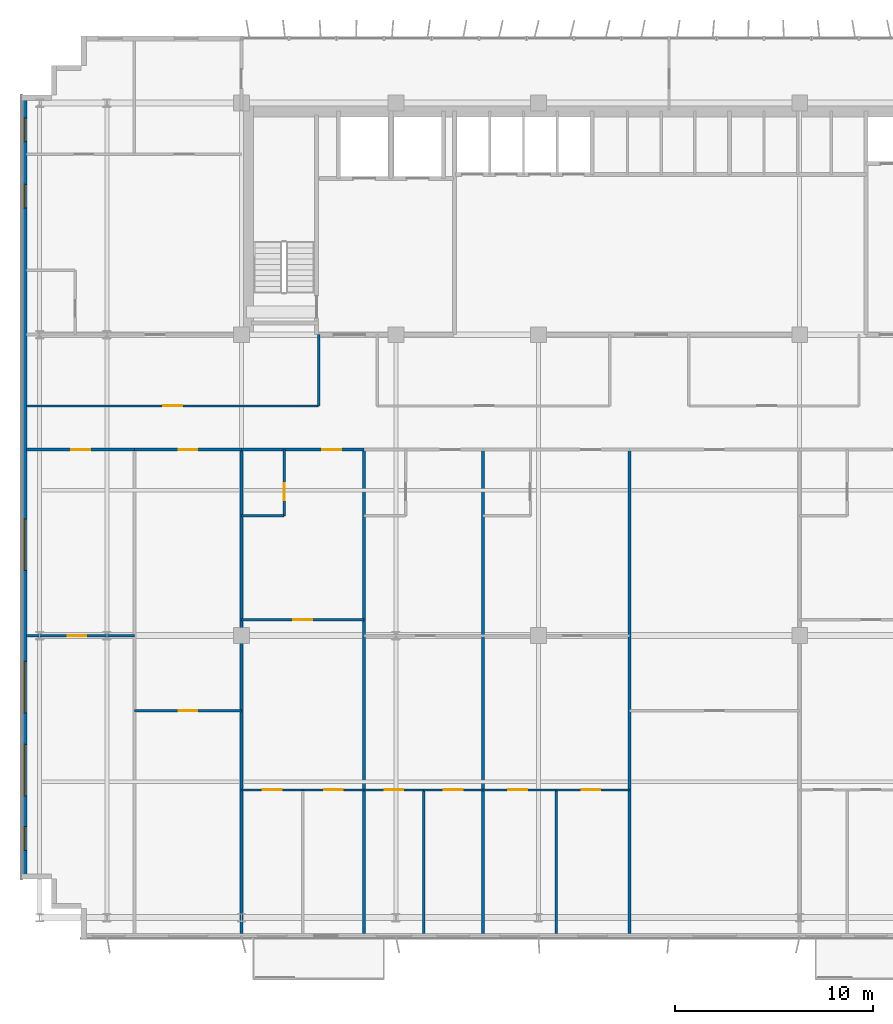
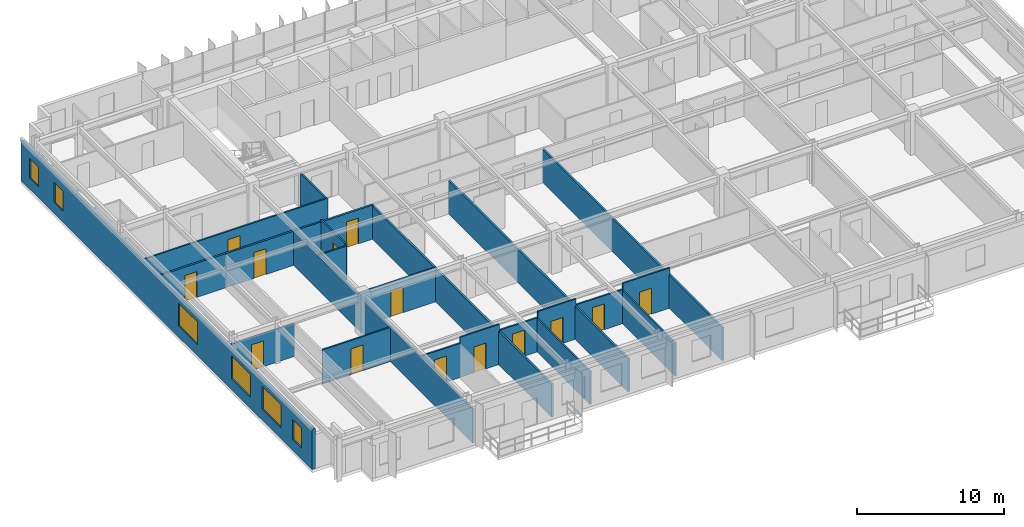
# One storey, part 14 of 22: 23 walls, 14 doors, 6 windows, 20 openings.
"""IFC4 building model written with IfcOpenShell, lengths in metres."""

from ifc_helpers import new_model, si_unit, direction, frame, frame_2d, origin, place, context, subcontext, project, spatial, rectangle, extrude, source, transform, mapped, material, layer, layer_set, type_object, element, fill, save


model = new_model("IFC4")

# Units and contexts
model_context = context("Model", 3, precision=1e-05, world=origin(), true_north=direction((0.0, 1.0)))
body_context = subcontext(model_context, "Body", "Model", "MODEL_VIEW")
ifc_project = project(units=[si_unit("LENGTHUNIT", "METRE"), si_unit("AREAUNIT", "SQUARE_METRE"), si_unit("VOLUMEUNIT", "CUBIC_METRE"), si_unit("PLANEANGLEUNIT", "RADIAN"), si_unit("MASSUNIT", "GRAM", prefix="KILO")], contexts=[model_context])

# Site, building, storey
site_placement = place(None, origin())
site = spatial("IfcSite", under=ifc_project, at=site_placement, CompositionType="ELEMENT")
building_placement = place(site_placement, origin())
building = spatial("IfcBuilding", under=site, at=building_placement, Name="Trelvane Seafront Commons", CompositionType="ELEMENT")
storey_placement = place(building_placement, frame((0.0, 0.0, 117.699951171875)))
storey = spatial("IfcBuildingStorey", under=building, at=storey_placement, Name="L30", CompositionType="ELEMENT", Elevation=117.699951171875)

# Wall, openings, windows
ifc_material_1 = material(Name="Precast concrete C40/50", Category="concrete")
ifc_layer_1 = layer(ifc_material_1, 0.260009765625, Name="ARCH-WALL-EXT260")
ifc_layer_set_1 = layer_set([ifc_layer_1], Name="Precast concrete C40/50")
wall_type_1 = type_object("IfcWallType", Name="ARCH-WALL-EXT260", PredefinedType="SOLIDWALL", material=ifc_layer_set_1)
wall_1_placement = place(storey_placement, frame((4.6298828125, 5.89990234375, 0.0), z_axis=(0.0, 0.0, 1.0), x_axis=(0.0, 1.0, 0.0)))
wall_1 = element("IfcWall", 1, at=wall_1_placement, inside=storey, type_object=wall_type_1, Name="EW-L30-00564", PredefinedType="SOLIDWALL", context=body_context, shape_type="SweptSolid", body=[
    extrude(rectangle(XDim=39.60009765625, YDim=0.260009765625, at=frame_2d((19.800048828125, 0.0))), origin(), (0.0, 0.0, 1.0), 3.340087890625),
])
opening_1_placement = place(wall_1_placement, frame((1.449951171875, 0.0, 0.919921875)))
opening_1 = element("IfcOpeningElement", 2, at=opening_1_placement, cuts=wall_1, Name="Opening W05", PredefinedType="OPENING", context=body_context, shape_type="SweptSolid", body=[
    extrude(rectangle(XDim=1.199951171875, YDim=1.64990234375, at=frame_2d((0.60009765625, 0.824951171875))), frame((0.0, 0.139892578125, 0.0), z_axis=(0.0, -1.0, 0.0), x_axis=(1.0, 0.0, 0.0)), (0.0, 0.0, 1.0), 0.280029296875),
])
opening_2_placement = place(wall_1_placement, frame((4.199951171875, 0.0, 0.919921875)))
opening_2 = element("IfcOpeningElement", 3, at=opening_2_placement, cuts=wall_1, Name="Opening W04", PredefinedType="OPENING", context=body_context, shape_type="SweptSolid", body=[
    extrude(rectangle(XDim=2.60009765625, YDim=1.89990234375, at=frame_2d((1.300048828125, 0.949951171875))), frame((0.0, 0.139892578125, 0.0), z_axis=(0.0, -1.0, 0.0), x_axis=(1.0, 0.0, 0.0)), (0.0, 0.0, 1.0), 0.280029296875),
])
opening_3_placement = place(wall_1_placement, frame((8.39990234375, 0.0, 0.919921875)))
opening_3 = element("IfcOpeningElement", 4, at=opening_3_placement, cuts=wall_1, Name="Opening W04", PredefinedType="OPENING", context=body_context, shape_type="SweptSolid", body=[
    extrude(rectangle(XDim=2.60009765625, YDim=1.89990234375, at=frame_2d((1.300048828125, 0.949951171875))), frame((0.0, 0.139892578125, 0.0), z_axis=(0.0, -1.0, 0.0), x_axis=(1.0, 0.0, 0.0)), (0.0, 0.0, 1.0), 0.280029296875),
])
opening_4_placement = place(wall_1_placement, frame((15.60009765625, 0.0, 0.919921875)))
opening_4 = element("IfcOpeningElement", 5, at=opening_4_placement, cuts=wall_1, Name="Opening W04", PredefinedType="OPENING", context=body_context, shape_type="SweptSolid", body=[
    extrude(rectangle(XDim=2.60009765625, YDim=1.89990234375, at=frame_2d((1.300048828125, 0.949951171875))), frame((0.0, 0.139892578125, 0.0), z_axis=(0.0, -1.0, 0.0), x_axis=(1.0, 0.0, 0.0)), (0.0, 0.0, 1.0), 0.280029296875),
])
opening_5_placement = place(wall_1_placement, frame((33.89990234375, 0.0, 0.919921875)))
opening_5 = element("IfcOpeningElement", 6, at=opening_5_placement, cuts=wall_1, Name="Opening W05", PredefinedType="OPENING", context=body_context, shape_type="SweptSolid", body=[
    extrude(rectangle(XDim=1.199951171875, YDim=1.64990234375, at=frame_2d((0.60009765625, 0.824951171875))), frame((0.0, 0.139892578125, 0.0), z_axis=(0.0, -1.0, 0.0), x_axis=(1.0, 0.0, 0.0)), (0.0, 0.0, 1.0), 0.280029296875),
])
opening_6_placement = place(wall_1_placement, frame((37.25, 0.0, 0.919921875)))
opening_6 = element("IfcOpeningElement", 7, at=opening_6_placement, cuts=wall_1, Name="Opening W05", PredefinedType="OPENING", context=body_context, shape_type="SweptSolid", body=[
    extrude(rectangle(XDim=1.199951171875, YDim=1.64990234375, at=frame_2d((0.60009765625, 0.824951171875))), frame((0.0, 0.139892578125, 0.0), z_axis=(0.0, -1.0, 0.0), x_axis=(1.0, 0.0, 0.0)), (0.0, 0.0, 1.0), 0.280029296875),
])
ifc_material_2 = material(Name="Low-E coastal double glazing", Category="glass")
window_type_1 = type_object("IfcWindowType", Name="ARCH-WIN-W04", PartitioningType="SINGLE_PANEL", PredefinedType="WINDOW", material=ifc_material_2)
shared_shape_1 = source(origin(), body_context, "Body", "SweptSolid", [
    extrude(rectangle(XDim=2.60009765625, YDim=1.89990234375, at=frame_2d((1.300048828125, 0.949951171875))), frame((0.0, 0.030029296875, 0.0), z_axis=(0.0, -1.0, 0.0), x_axis=(1.0, 0.0, 0.0)), (0.0, 0.0, 1.0), 0.06005859375),
])
window_1_placement = place(opening_2_placement, origin())
window_1 = element("IfcWindow", 8, at=window_1_placement, inside=storey, type_object=window_type_1, Name="WIN-L30-EW-00670", OverallHeight=1.89990234375, OverallWidth=2.60009765625, PartitioningType="SINGLE_PANEL", PredefinedType="WINDOW", context=body_context, shape_type="MappedRepresentation", body=[
    mapped(shared_shape_1, transform((0.0, 0.0, 0.0), x_axis=(1.0, 0.0, 0.0), y_axis=(0.0, 1.0, 0.0), z_axis=(0.0, 0.0, 1.0), scale=1.0)),
])
fill(opening_2, window_1)
window_2_placement = place(opening_3_placement, origin())
window_2 = element("IfcWindow", 9, at=window_2_placement, inside=storey, type_object=window_type_1, Name="WIN-L30-EW-00671", OverallHeight=1.89990234375, OverallWidth=2.60009765625, PartitioningType="SINGLE_PANEL", PredefinedType="WINDOW", context=body_context, shape_type="MappedRepresentation", body=[
    mapped(shared_shape_1, transform((0.0, 0.0, 0.0), x_axis=(1.0, 0.0, 0.0), y_axis=(0.0, 1.0, 0.0), z_axis=(0.0, 0.0, 1.0), scale=1.0)),
])
fill(opening_3, window_2)
window_3_placement = place(opening_4_placement, origin())
window_3 = element("IfcWindow", 10, at=window_3_placement, inside=storey, type_object=window_type_1, Name="WIN-L30-EW-00672", OverallHeight=1.89990234375, OverallWidth=2.60009765625, PartitioningType="SINGLE_PANEL", PredefinedType="WINDOW", context=body_context, shape_type="MappedRepresentation", body=[
    mapped(shared_shape_1, transform((0.0, 0.0, 0.0), x_axis=(1.0, 0.0, 0.0), y_axis=(0.0, 1.0, 0.0), z_axis=(0.0, 0.0, 1.0), scale=1.0)),
])
fill(opening_4, window_3)
window_type_2 = type_object("IfcWindowType", Name="ARCH-WIN-W05", PartitioningType="SINGLE_PANEL", PredefinedType="WINDOW", material=ifc_material_2)
shared_shape_2 = source(origin(), body_context, "Body", "SweptSolid", [
    extrude(rectangle(XDim=1.199951171875, YDim=1.64990234375, at=frame_2d((0.60009765625, 0.824951171875))), frame((0.0, 0.030029296875, 0.0), z_axis=(0.0, -1.0, 0.0), x_axis=(1.0, 0.0, 0.0)), (0.0, 0.0, 1.0), 0.06005859375),
])
window_4_placement = place(opening_1_placement, origin())
window_4 = element("IfcWindow", 11, at=window_4_placement, inside=storey, type_object=window_type_2, Name="WIN-L30-EW-00669", OverallHeight=1.64990234375, OverallWidth=1.199951171875, PartitioningType="SINGLE_PANEL", PredefinedType="WINDOW", context=body_context, shape_type="MappedRepresentation", body=[
    mapped(shared_shape_2, transform((0.0, 0.0, 0.0), x_axis=(1.0, 0.0, 0.0), y_axis=(0.0, 1.0, 0.0), z_axis=(0.0, 0.0, 1.0), scale=1.0)),
])
fill(opening_1, window_4)
window_5_placement = place(opening_5_placement, origin())
window_5 = element("IfcWindow", 12, at=window_5_placement, inside=storey, type_object=window_type_2, Name="WIN-L30-EW-00673", OverallHeight=1.64990234375, OverallWidth=1.199951171875, PartitioningType="SINGLE_PANEL", PredefinedType="WINDOW", context=body_context, shape_type="MappedRepresentation", body=[
    mapped(shared_shape_2, transform((0.0, 0.0, 0.0), x_axis=(1.0, 0.0, 0.0), y_axis=(0.0, 1.0, 0.0), z_axis=(0.0, 0.0, 1.0), scale=1.0)),
])
fill(opening_5, window_5)
window_6_placement = place(opening_6_placement, origin())
window_6 = element("IfcWindow", 13, at=window_6_placement, inside=storey, type_object=window_type_2, Name="WIN-L30-EW-00674", OverallHeight=1.64990234375, OverallWidth=1.199951171875, PartitioningType="SINGLE_PANEL", PredefinedType="WINDOW", context=body_context, shape_type="MappedRepresentation", body=[
    mapped(shared_shape_2, transform((0.0, 0.0, 0.0), x_axis=(1.0, 0.0, 0.0), y_axis=(0.0, 1.0, 0.0), z_axis=(0.0, 0.0, 1.0), scale=1.0)),
])
fill(opening_6, window_6)

# Wall, opening, door
ifc_material_3 = material(Name="Gypsum Drywall Acoustic Partition")
ifc_layer_2 = layer(ifc_material_3, 0.1201171875, Name="ARCH-WALL-PART120")
ifc_layer_set_2 = layer_set([ifc_layer_2], Name="Gypsum Drywall Acoustic Partition")
wall_type_2 = type_object("IfcWallType", Name="ARCH-WALL-PART120", PredefinedType="PARTITIONING", material=ifc_layer_set_2)
wall_2_placement = place(storey_placement, frame((4.75, 29.800048828125, 0.0), z_axis=(0.0, 0.0, 1.0), x_axis=(1.0, 0.0, 0.0)))
wall_2 = element("IfcWall", 14, at=wall_2_placement, inside=storey, type_object=wall_type_2, Name="W-L30-CORR-N-W-038", PredefinedType="PARTITIONING", context=body_context, shape_type="SweptSolid", body=[
    extrude(rectangle(XDim=14.75, YDim=0.1201171875, at=frame_2d((7.375, 0.0))), origin(), (0.0, 0.0, 1.0), 2.840087890625),
])
opening_7_placement = place(wall_2_placement, frame((6.89990234375, 0.0, 0.0)))
opening_7 = element("IfcOpeningElement", 15, at=opening_7_placement, cuts=wall_2, Name="Opening D-L30-17", PredefinedType="OPENING", context=body_context, shape_type="SweptSolid", body=[
    extrude(rectangle(XDim=0.949951171875, YDim=2.14990234375, at=frame_2d((0.47509765625, 1.074951171875))), frame((0.0, 0.070068359375, 0.0), z_axis=(0.0, -1.0, 0.0), x_axis=(1.0, 0.0, 0.0)), (0.0, 0.0, 1.0), 0.14013671875),
])
ifc_material_4 = material(Name="Acoustic timber door leaf", Category="wood")
door_type_1 = type_object("IfcDoorType", Name="ARCH-DR-INT950", OperationType="NOTDEFINED", PredefinedType="DOOR", material=ifc_material_4)
shared_shape_3 = source(origin(), body_context, "Body", "SweptSolid", [
    extrude(rectangle(XDim=0.949951171875, YDim=2.14990234375, at=frame_2d((0.47509765625, 1.074951171875))), frame((0.0, 0.02490234375, 0.0), z_axis=(0.0, -1.0, 0.0), x_axis=(1.0, 0.0, 0.0)), (0.0, 0.0, 1.0), 0.050048828125),
])
door_1_placement = place(opening_7_placement, origin())
door_1 = element("IfcDoor", 16, at=door_1_placement, inside=storey, type_object=door_type_1, Name="L30 Door 17", OperationType="SINGLE_SWING_LEFT", OverallHeight=2.14990234375, OverallWidth=0.949951171875, PredefinedType="DOOR", context=body_context, shape_type="MappedRepresentation", body=[
    mapped(shared_shape_3, transform((0.0, 0.0, 0.0), x_axis=(1.0, 0.0, 0.0), y_axis=(0.0, 1.0, 0.0), z_axis=(0.0, 0.0, 1.0), scale=1.0)),
])
fill(opening_7, door_1)

# Wall
wall_3_placement = place(storey_placement, frame((19.5, 29.800048828125, 0.0), z_axis=(0.0, 0.0, 1.0), x_axis=(0.0, 1.0, 0.0)))
element("IfcWall", 17, at=wall_3_placement, inside=storey, type_object=wall_type_2, Name="W-L30-N-SPUR-W1-043", PredefinedType="PARTITIONING", context=body_context, shape_type="SweptSolid", body=[
    extrude(rectangle(XDim=3.599853515625, YDim=0.1201171875, at=frame_2d((1.7998046875, 0.0))), origin(), (0.0, 0.0, 1.0), 2.751953125),
])

# Wall, opening, door
wall_4_placement = place(storey_placement, frame((4.7451171875, 18.199951171875, 0.0), z_axis=(0.0, 0.0, 1.0), x_axis=(1.0, 0.0, 0.0)))
wall_4 = element("IfcWall", 18, at=wall_4_placement, inside=storey, type_object=wall_type_2, Name="W-L30-U1-DIV-074", PredefinedType="PARTITIONING", context=body_context, shape_type="SweptSolid", body=[
    extrude(rectangle(XDim=5.454833984375, YDim=0.1201171875, at=frame_2d((2.7275390625, 0.0))), origin(), (0.0, 0.0, 1.0), 2.751953125),
])
opening_8_placement = place(wall_4_placement, frame((2.06494140625, 0.0, 0.0)))
opening_8 = element("IfcOpeningElement", 19, at=opening_8_placement, cuts=wall_4, Name="Opening D-L30-34", PredefinedType="OPENING", context=body_context, shape_type="SweptSolid", body=[
    extrude(rectangle(XDim=0.949951171875, YDim=2.14990234375, at=frame_2d((0.47509765625, 1.074951171875))), frame((0.0, 0.070068359375, 0.0), z_axis=(0.0, -1.0, 0.0), x_axis=(1.0, 0.0, 0.0)), (0.0, 0.0, 1.0), 0.14013671875),
])
door_2_placement = place(opening_8_placement, origin())
door_2 = element("IfcDoor", 20, at=door_2_placement, inside=storey, type_object=door_type_1, Name="L30 Door 34", OperationType="SINGLE_SWING_RIGHT", OverallHeight=2.14990234375, OverallWidth=0.949951171875, PredefinedType="DOOR", context=body_context, shape_type="MappedRepresentation", body=[
    mapped(shared_shape_3, transform((0.0, 0.0, 0.0), x_axis=(1.0, 0.0, 0.0), y_axis=(0.0, 1.0, 0.0), z_axis=(0.0, 0.0, 1.0), scale=1.0)),
])
fill(opening_8, door_2)

wall_5_placement = place(storey_placement, frame((10.199951171875, 14.39990234375, 0.0), z_axis=(0.0, 0.0, 1.0), x_axis=(1.0, 0.0, 0.0)))
wall_5 = element("IfcWall", 21, at=wall_5_placement, inside=storey, type_object=wall_type_2, Name="W-L30-U2-DIV-076", PredefinedType="PARTITIONING", context=body_context, shape_type="SweptSolid", body=[
    extrude(rectangle(XDim=5.400146484375, YDim=0.1201171875, at=frame_2d((2.7001953125, 0.0))), origin(), (0.0, 0.0, 1.0), 2.840087890625),
])
opening_9_placement = place(wall_5_placement, frame((2.22509765625, 0.0, 0.0)))
opening_9 = element("IfcOpeningElement", 22, at=opening_9_placement, cuts=wall_5, Name="Opening D-L30-36", PredefinedType="OPENING", context=body_context, shape_type="SweptSolid", body=[
    extrude(rectangle(XDim=0.949951171875, YDim=2.14990234375, at=frame_2d((0.47509765625, 1.074951171875))), frame((0.0, 0.070068359375, 0.0), z_axis=(0.0, -1.0, 0.0), x_axis=(1.0, 0.0, 0.0)), (0.0, 0.0, 1.0), 0.14013671875),
])
door_3_placement = place(opening_9_placement, origin())
door_3 = element("IfcDoor", 23, at=door_3_placement, inside=storey, type_object=door_type_1, Name="L30 Door 36", OperationType="SINGLE_SWING_RIGHT", OverallHeight=2.14990234375, OverallWidth=0.949951171875, PredefinedType="DOOR", context=body_context, shape_type="MappedRepresentation", body=[
    mapped(shared_shape_3, transform((0.0, 0.0, 0.0), x_axis=(1.0, 0.0, 0.0), y_axis=(0.0, 1.0, 0.0), z_axis=(0.0, 0.0, 1.0), scale=1.0)),
])
fill(opening_9, door_3)

wall_6_placement = place(storey_placement, frame((15.60009765625, 19.0, 0.0), z_axis=(0.0, 0.0, 1.0), x_axis=(1.0, 0.0, 0.0)))
wall_6 = element("IfcWall", 24, at=wall_6_placement, inside=storey, type_object=wall_type_2, Name="W-L30-U3-KL-077", PredefinedType="PARTITIONING", context=body_context, shape_type="SweptSolid", body=[
    extrude(rectangle(XDim=6.199951171875, YDim=0.1201171875, at=frame_2d((3.10009765625, 0.0))), origin(), (0.0, 0.0, 1.0), 2.840087890625),
])
opening_10_placement = place(wall_6_placement, frame((2.625, 0.0, 0.0)))
opening_10 = element("IfcOpeningElement", 25, at=opening_10_placement, cuts=wall_6, Name="Opening D-L30-37", PredefinedType="OPENING", context=body_context, shape_type="SweptSolid", body=[
    extrude(rectangle(XDim=0.949951171875, YDim=2.14990234375, at=frame_2d((0.47509765625, 1.074951171875))), frame((0.0, 0.070068359375, 0.0), z_axis=(0.0, -1.0, 0.0), x_axis=(1.0, 0.0, 0.0)), (0.0, 0.0, 1.0), 0.14013671875),
])
door_4_placement = place(opening_10_placement, origin())
door_4 = element("IfcDoor", 26, at=door_4_placement, inside=storey, type_object=door_type_1, Name="L30 Door 37", OperationType="SINGLE_SWING_LEFT", OverallHeight=2.14990234375, OverallWidth=0.949951171875, PredefinedType="DOOR", context=body_context, shape_type="MappedRepresentation", body=[
    mapped(shared_shape_3, transform((0.0, 0.0, 0.0), x_axis=(1.0, 0.0, 0.0), y_axis=(0.0, 1.0, 0.0), z_axis=(0.0, 0.0, 1.0), scale=1.0)),
])
fill(opening_10, door_4)

wall_7_placement = place(storey_placement, frame((17.758056640625, 24.25, 0.0), z_axis=(0.0, 0.0, 1.0), x_axis=(0.0, 1.0, 0.0)))
wall_7 = element("IfcWall", 27, at=wall_7_placement, inside=storey, type_object=wall_type_2, Name="W-L30-U3-BE-078", PredefinedType="PARTITIONING", context=body_context, shape_type="SweptSolid", body=[
    extrude(rectangle(XDim=3.35009765625, YDim=0.1201171875, at=frame_2d((1.675048828125, 0.0))), origin(), (0.0, 0.0, 1.0), 2.989990234375),
])
opening_11_placement = place(wall_7_placement, frame((0.800048828125, 0.0, 0.0)))
opening_11 = element("IfcOpeningElement", 28, at=opening_11_placement, cuts=wall_7, Name="Opening D-L30-38", PredefinedType="OPENING", context=body_context, shape_type="SweptSolid", body=[
    extrude(rectangle(XDim=0.85009765625, YDim=2.10009765625, at=frame_2d((0.425048828125, 1.050048828125))), frame((0.0, 0.070068359375, 0.0), z_axis=(0.0, -1.0, 0.0), x_axis=(1.0, 0.0, 0.0)), (0.0, 0.0, 1.0), 0.14013671875),
])
door_type_2 = type_object("IfcDoorType", Name="ARCH-DR-INT850", OperationType="NOTDEFINED", PredefinedType="DOOR", material=ifc_material_4)
shared_shape_4 = source(origin(), body_context, "Body", "SweptSolid", [
    extrude(rectangle(XDim=0.85009765625, YDim=2.10009765625, at=frame_2d((0.425048828125, 1.050048828125))), frame((0.0, 0.02490234375, 0.0), z_axis=(0.0, -1.0, 0.0), x_axis=(1.0, 0.0, 0.0)), (0.0, 0.0, 1.0), 0.050048828125),
])
door_5_placement = place(opening_11_placement, origin())
door_5 = element("IfcDoor", 29, at=door_5_placement, inside=storey, type_object=door_type_2, Name="L30 Door 38", OperationType="SINGLE_SWING_RIGHT", OverallHeight=2.10009765625, OverallWidth=0.85009765625, PredefinedType="DOOR", context=body_context, shape_type="MappedRepresentation", body=[
    mapped(shared_shape_4, transform((0.0, 0.0, 0.0), x_axis=(1.0, 0.0, 0.0), y_axis=(0.0, 1.0, 0.0), z_axis=(0.0, 0.0, 1.0), scale=1.0)),
])
fill(opening_11, door_5)

# Wall
wall_8_placement = place(storey_placement, frame((15.60009765625, 24.25, 0.0), z_axis=(0.0, 0.0, 1.0), x_axis=(1.0, 0.0, 0.0)))
element("IfcWall", 30, at=wall_8_placement, inside=storey, type_object=wall_type_2, Name="W-L30-U3-BS-079", PredefinedType="PARTITIONING", context=body_context, shape_type="SweptSolid", body=[
    extrude(rectangle(XDim=2.157958984375, YDim=0.1201171875, at=frame_2d((1.0791015625, 0.0))), origin(), (0.0, 0.0, 1.0), 2.840087890625),
])

# Wall, opening, door
wall_9_placement = place(storey_placement, frame((15.60009765625, 10.39990234375, 0.0), z_axis=(0.0, 0.0, 1.0), x_axis=(1.0, 0.0, 0.0)))
wall_9 = element("IfcWall", 31, at=wall_9_placement, inside=storey, type_object=wall_type_2, Name="W-L30-U3-YM-1-081", PredefinedType="PARTITIONING", context=body_context, shape_type="SweptSolid", body=[
    extrude(rectangle(XDim=3.099853515625, YDim=0.1201171875, at=frame_2d((1.5498046875, 0.0))), origin(), (0.0, 0.0, 1.0), 2.840087890625),
])
opening_12_placement = place(wall_9_placement, frame((1.074951171875, 0.0, 0.0)))
opening_12 = element("IfcOpeningElement", 32, at=opening_12_placement, cuts=wall_9, Name="Opening D-L30-40", PredefinedType="OPENING", context=body_context, shape_type="SweptSolid", body=[
    extrude(rectangle(XDim=0.949951171875, YDim=2.14990234375, at=frame_2d((0.47509765625, 1.074951171875))), frame((0.0, 0.070068359375, 0.0), z_axis=(0.0, -1.0, 0.0), x_axis=(1.0, 0.0, 0.0)), (0.0, 0.0, 1.0), 0.14013671875),
])
door_6_placement = place(opening_12_placement, origin())
door_6 = element("IfcDoor", 33, at=door_6_placement, inside=storey, type_object=door_type_1, Name="L30 Door 40", OperationType="SINGLE_SWING_RIGHT", OverallHeight=2.14990234375, OverallWidth=0.949951171875, PredefinedType="DOOR", context=body_context, shape_type="MappedRepresentation", body=[
    mapped(shared_shape_3, transform((0.0, 0.0, 0.0), x_axis=(1.0, 0.0, 0.0), y_axis=(0.0, 1.0, 0.0), z_axis=(0.0, 0.0, 1.0), scale=1.0)),
])
fill(opening_12, door_6)

wall_10_placement = place(storey_placement, frame((18.699951171875, 10.39990234375, 0.0), z_axis=(0.0, 0.0, 1.0), x_axis=(1.0, 0.0, 0.0)))
wall_10 = element("IfcWall", 34, at=wall_10_placement, inside=storey, type_object=wall_type_2, Name="W-L30-U3-YM-2-082", PredefinedType="PARTITIONING", context=body_context, shape_type="SweptSolid", body=[
    extrude(rectangle(XDim=3.10009765625, YDim=0.1201171875, at=frame_2d((1.550048828125, 0.0))), origin(), (0.0, 0.0, 1.0), 3.340087890625),
])
opening_13_placement = place(wall_10_placement, frame((1.074951171875, 0.0, 0.0)))
opening_13 = element("IfcOpeningElement", 35, at=opening_13_placement, cuts=wall_10, Name="Opening D-L30-41", PredefinedType="OPENING", context=body_context, shape_type="SweptSolid", body=[
    extrude(rectangle(XDim=0.949951171875, YDim=2.14990234375, at=frame_2d((0.47509765625, 1.074951171875))), frame((0.0, 0.070068359375, 0.0), z_axis=(0.0, -1.0, 0.0), x_axis=(1.0, 0.0, 0.0)), (0.0, 0.0, 1.0), 0.14013671875),
])
door_7_placement = place(opening_13_placement, origin())
door_7 = element("IfcDoor", 36, at=door_7_placement, inside=storey, type_object=door_type_1, Name="L30 Door 41", OperationType="SINGLE_SWING_LEFT", OverallHeight=2.14990234375, OverallWidth=0.949951171875, PredefinedType="DOOR", context=body_context, shape_type="MappedRepresentation", body=[
    mapped(shared_shape_3, transform((0.0, 0.0, 0.0), x_axis=(1.0, 0.0, 0.0), y_axis=(0.0, 1.0, 0.0), z_axis=(0.0, 0.0, 1.0), scale=1.0)),
])
fill(opening_13, door_7)

wall_11_placement = place(storey_placement, frame((21.800048828125, 10.39990234375, 0.0), z_axis=(0.0, 0.0, 1.0), x_axis=(1.0, 0.0, 0.0)))
wall_11 = element("IfcWall", 37, at=wall_11_placement, inside=storey, type_object=wall_type_2, Name="W-L30-U4-YM-1-088", PredefinedType="PARTITIONING", context=body_context, shape_type="SweptSolid", body=[
    extrude(rectangle(XDim=3.0, YDim=0.1201171875, at=frame_2d((1.5, 0.0))), origin(), (0.0, 0.0, 1.0), 2.840087890625),
])
opening_14_placement = place(wall_11_placement, frame((1.02490234375, 0.0, 0.0)))
opening_14 = element("IfcOpeningElement", 38, at=opening_14_placement, cuts=wall_11, Name="Opening D-L30-45", PredefinedType="OPENING", context=body_context, shape_type="SweptSolid", body=[
    extrude(rectangle(XDim=0.949951171875, YDim=2.14990234375, at=frame_2d((0.47509765625, 1.074951171875))), frame((0.0, 0.070068359375, 0.0), z_axis=(0.0, -1.0, 0.0), x_axis=(1.0, 0.0, 0.0)), (0.0, 0.0, 1.0), 0.14013671875),
])
door_8_placement = place(opening_14_placement, origin())
door_8 = element("IfcDoor", 39, at=door_8_placement, inside=storey, type_object=door_type_1, Name="L30 Door 45", OperationType="SINGLE_SWING_LEFT", OverallHeight=2.14990234375, OverallWidth=0.949951171875, PredefinedType="DOOR", context=body_context, shape_type="MappedRepresentation", body=[
    mapped(shared_shape_3, transform((0.0, 0.0, 0.0), x_axis=(1.0, 0.0, 0.0), y_axis=(0.0, 1.0, 0.0), z_axis=(0.0, 0.0, 1.0), scale=1.0)),
])
fill(opening_14, door_8)

wall_12_placement = place(storey_placement, frame((24.800048828125, 10.39990234375, 0.0), z_axis=(0.0, 0.0, 1.0), x_axis=(1.0, 0.0, 0.0)))
wall_12 = element("IfcWall", 40, at=wall_12_placement, inside=storey, type_object=wall_type_2, Name="W-L30-U4-YM-2-089", PredefinedType="PARTITIONING", context=body_context, shape_type="SweptSolid", body=[
    extrude(rectangle(XDim=3.0, YDim=0.1201171875, at=frame_2d((1.5, 0.0))), origin(), (0.0, 0.0, 1.0), 3.340087890625),
])
opening_15_placement = place(wall_12_placement, frame((1.02490234375, 0.0, 0.0)))
opening_15 = element("IfcOpeningElement", 41, at=opening_15_placement, cuts=wall_12, Name="Opening D-L30-46", PredefinedType="OPENING", context=body_context, shape_type="SweptSolid", body=[
    extrude(rectangle(XDim=0.949951171875, YDim=2.14990234375, at=frame_2d((0.47509765625, 1.074951171875))), frame((0.0, 0.070068359375, 0.0), z_axis=(0.0, -1.0, 0.0), x_axis=(1.0, 0.0, 0.0)), (0.0, 0.0, 1.0), 0.14013671875),
])
door_9_placement = place(opening_15_placement, origin())
door_9 = element("IfcDoor", 42, at=door_9_placement, inside=storey, type_object=door_type_1, Name="L30 Door 46", OperationType="SINGLE_SWING_RIGHT", OverallHeight=2.14990234375, OverallWidth=0.949951171875, PredefinedType="DOOR", context=body_context, shape_type="MappedRepresentation", body=[
    mapped(shared_shape_3, transform((0.0, 0.0, 0.0), x_axis=(1.0, 0.0, 0.0), y_axis=(0.0, 1.0, 0.0), z_axis=(0.0, 0.0, 1.0), scale=1.0)),
])
fill(opening_15, door_9)

# Wall
wall_13_placement = place(storey_placement, frame((24.800048828125, 3.14501953125, 0.0), z_axis=(0.0, 0.0, 1.0), x_axis=(0.0, 1.0, 0.0)))
element("IfcWall", 43, at=wall_13_placement, inside=storey, type_object=wall_type_2, Name="W-L30-U4-BDV-1-090", PredefinedType="PARTITIONING", context=body_context, shape_type="SweptSolid", body=[
    extrude(rectangle(XDim=7.2548828125, YDim=0.1201171875, at=frame_2d((3.62744140625, 0.0))), origin(), (0.0, 0.0, 1.0), 2.751953125),
])

# Wall, opening, door
wall_14_placement = place(storey_placement, frame((27.800048828125, 10.39990234375, 0.0), z_axis=(0.0, 0.0, 1.0), x_axis=(1.0, 0.0, 0.0)))
wall_14 = element("IfcWall", 44, at=wall_14_placement, inside=storey, type_object=wall_type_2, Name="W-L30-U5-YM-1-095", PredefinedType="PARTITIONING", context=body_context, shape_type="SweptSolid", body=[
    extrude(rectangle(XDim=3.699951171875, YDim=0.1201171875, at=frame_2d((1.85009765625, 0.0))), origin(), (0.0, 0.0, 1.0), 2.840087890625),
])
opening_16_placement = place(wall_14_placement, frame((1.284912109375, 0.0, 0.0)))
opening_16 = element("IfcOpeningElement", 45, at=opening_16_placement, cuts=wall_14, Name="Opening D-L30-50", PredefinedType="OPENING", context=body_context, shape_type="SweptSolid", body=[
    extrude(rectangle(XDim=0.949951171875, YDim=2.14990234375, at=frame_2d((0.47509765625, 1.074951171875))), frame((0.0, 0.070068359375, 0.0), z_axis=(0.0, -1.0, 0.0), x_axis=(1.0, 0.0, 0.0)), (0.0, 0.0, 1.0), 0.14013671875),
])
door_10_placement = place(opening_16_placement, origin())
door_10 = element("IfcDoor", 46, at=door_10_placement, inside=storey, type_object=door_type_1, Name="L30 Door 50", OperationType="SINGLE_SWING_RIGHT", OverallHeight=2.14990234375, OverallWidth=0.949951171875, PredefinedType="DOOR", context=body_context, shape_type="MappedRepresentation", body=[
    mapped(shared_shape_3, transform((0.0, 0.0, 0.0), x_axis=(1.0, 0.0, 0.0), y_axis=(0.0, 1.0, 0.0), z_axis=(0.0, 0.0, 1.0), scale=1.0)),
])
fill(opening_16, door_10)

wall_15_placement = place(storey_placement, frame((31.5, 10.39990234375, 0.0), z_axis=(0.0, 0.0, 1.0), x_axis=(1.0, 0.0, 0.0)))
wall_15 = element("IfcWall", 47, at=wall_15_placement, inside=storey, type_object=wall_type_2, Name="W-L30-U5-YM-2-096", PredefinedType="PARTITIONING", context=body_context, shape_type="SweptSolid", body=[
    extrude(rectangle(XDim=3.699951171875, YDim=0.1201171875, at=frame_2d((1.85009765625, 0.0))), origin(), (0.0, 0.0, 1.0), 3.340087890625),
])
opening_17_placement = place(wall_15_placement, frame((1.284912109375, 0.0, 0.0)))
opening_17 = element("IfcOpeningElement", 48, at=opening_17_placement, cuts=wall_15, Name="Opening D-L30-51", PredefinedType="OPENING", context=body_context, shape_type="SweptSolid", body=[
    extrude(rectangle(XDim=0.949951171875, YDim=2.14990234375, at=frame_2d((0.47509765625, 1.074951171875))), frame((0.0, 0.070068359375, 0.0), z_axis=(0.0, -1.0, 0.0), x_axis=(1.0, 0.0, 0.0)), (0.0, 0.0, 1.0), 0.14013671875),
])
door_11_placement = place(opening_17_placement, origin())
door_11 = element("IfcDoor", 49, at=door_11_placement, inside=storey, type_object=door_type_1, Name="L30 Door 51", OperationType="SINGLE_SWING_LEFT", OverallHeight=2.14990234375, OverallWidth=0.949951171875, PredefinedType="DOOR", context=body_context, shape_type="MappedRepresentation", body=[
    mapped(shared_shape_3, transform((0.0, 0.0, 0.0), x_axis=(1.0, 0.0, 0.0), y_axis=(0.0, 1.0, 0.0), z_axis=(0.0, 0.0, 1.0), scale=1.0)),
])
fill(opening_17, door_11)

# Walls
wall_16_placement = place(storey_placement, frame((31.5, 3.14501953125, 0.0), z_axis=(0.0, 0.0, 1.0), x_axis=(0.0, 1.0, 0.0)))
element("IfcWall", 50, at=wall_16_placement, inside=storey, type_object=wall_type_2, Name="W-L30-U5-BDV-1-097", PredefinedType="PARTITIONING", context=body_context, shape_type="SweptSolid", body=[
    extrude(rectangle(XDim=7.2548828125, YDim=0.1201171875, at=frame_2d((3.62744140625, 0.0))), origin(), (0.0, 0.0, 1.0), 2.751953125),
])
ifc_layer_3 = layer(ifc_material_3, 0.14990234375, Name="ARCH-WALL-PART150")
ifc_layer_set_3 = layer_set([ifc_layer_3], Name="Gypsum Drywall Acoustic Partition")
wall_type_3 = type_object("IfcWallType", Name="ARCH-WALL-PART150", PredefinedType="PARTITIONING", material=ifc_layer_set_3)
wall_17_placement = place(storey_placement, frame((15.60009765625, 3.14501953125, 0.0), z_axis=(0.0, 0.0, 1.0), x_axis=(0.0, 1.0, 0.0)))
element("IfcWall", 51, at=wall_17_placement, inside=storey, type_object=wall_type_3, Name="W-L30-PW-2-065", PredefinedType="PARTITIONING", context=body_context, shape_type="SweptSolid", body=[
    extrude(rectangle(XDim=24.455078125, YDim=0.14990234375, at=frame_2d((12.2275390625, 0.0))), origin(), (0.0, 0.0, 1.0), 2.840087890625),
])
for number, where, z_axis, x_axis, name in (
    (52, (21.800048828125, 3.14501953125, 0.0), (0.0, 0.0, 1.0), (0.0, 1.0, 0.0), "W-L30-PW-3-066"),
    (53, (27.800048828125, 3.14501953125, 0.0), (0.0, 0.0, 1.0), (0.0, 1.0, 0.0), "W-L30-PW-4-067"),
    (54, (35.199951171875, 3.14501953125, 0.0), (0.0, 0.0, 1.0), (0.0, 1.0, 0.0), "W-L30-PW-5-068"),
):
    element("IfcWall", number, at=place(storey_placement, frame(where, z_axis=z_axis, x_axis=x_axis)), inside=storey, type_object=wall_type_3, Name=name, PredefinedType="PARTITIONING", context=body_context, shape_type="SweptSolid", body=[
        extrude(rectangle(XDim=24.455078125, YDim=0.14990234375, at=frame_2d((12.2275390625, 0.0))), origin(), (0.0, 0.0, 1.0), 2.751953125),
    ])

# Wall, opening, door
wall_18_placement = place(storey_placement, frame((4.7451171875, 27.60009765625, 0.0), z_axis=(0.0, 0.0, 1.0), x_axis=(1.0, 0.0, 0.0)))
wall_18 = element("IfcWall", 55, at=wall_18_placement, inside=storey, type_object=wall_type_3, Name="W-L30-CS-BAY-1-073", PredefinedType="PARTITIONING", context=body_context, shape_type="SweptSolid", body=[
    extrude(rectangle(XDim=5.454833984375, YDim=0.14990234375, at=frame_2d((2.7275390625, 0.0))), origin(), (0.0, 0.0, 1.0), 2.840087890625),
])
opening_18_placement = place(wall_18_placement, frame((2.251953125, 0.0, 0.0)))
opening_18 = element("IfcOpeningElement", 56, at=opening_18_placement, cuts=wall_18, Name="Opening FD-L30-33", PredefinedType="OPENING", context=body_context, shape_type="SweptSolid", body=[
    extrude(rectangle(XDim=0.949951171875, YDim=2.14990234375, at=frame_2d((0.47509765625, 1.074951171875))), frame((0.0, 0.0849609375, 0.0), z_axis=(0.0, -1.0, 0.0), x_axis=(1.0, 0.0, 0.0)), (0.0, 0.0, 1.0), 0.169921875),
])
ifc_material_5 = material(Name="Powder-coated aluminium frame", Category="aluminium")
door_type_3 = type_object("IfcDoorType", Name="ARCH-DR-FD60-950", OperationType="NOTDEFINED", PredefinedType="DOOR", material=ifc_material_5)
door_12_placement = place(opening_18_placement, origin())
door_12 = element("IfcDoor", 57, at=door_12_placement, inside=storey, type_object=door_type_3, Name="L30 Bay 01 Entrance Door", OperationType="SINGLE_SWING_LEFT", OverallHeight=2.14990234375, OverallWidth=0.949951171875, PredefinedType="DOOR", context=body_context, shape_type="MappedRepresentation", body=[
    mapped(shared_shape_3, transform((0.0, 0.0, 0.0), x_axis=(1.0, 0.0, 0.0), y_axis=(0.0, 1.0, 0.0), z_axis=(0.0, 0.0, 1.0), scale=1.0)),
])
fill(opening_18, door_12)

wall_19_placement = place(storey_placement, frame((10.199951171875, 27.60009765625, 0.0), z_axis=(0.0, 0.0, 1.0), x_axis=(1.0, 0.0, 0.0)))
wall_19 = element("IfcWall", 58, at=wall_19_placement, inside=storey, type_object=wall_type_3, Name="W-L30-CS-BAY-2-075", PredefinedType="PARTITIONING", context=body_context, shape_type="SweptSolid", body=[
    extrude(rectangle(XDim=5.400146484375, YDim=0.14990234375, at=frame_2d((2.7001953125, 0.0))), origin(), (0.0, 0.0, 1.0), 2.840087890625),
])
opening_19_placement = place(wall_19_placement, frame((2.22509765625, 0.0, 0.0)))
opening_19 = element("IfcOpeningElement", 59, at=opening_19_placement, cuts=wall_19, Name="Opening FD-L30-35", PredefinedType="OPENING", context=body_context, shape_type="SweptSolid", body=[
    extrude(rectangle(XDim=0.949951171875, YDim=2.14990234375, at=frame_2d((0.47509765625, 1.074951171875))), frame((0.0, 0.0849609375, 0.0), z_axis=(0.0, -1.0, 0.0), x_axis=(1.0, 0.0, 0.0)), (0.0, 0.0, 1.0), 0.169921875),
])
door_13_placement = place(opening_19_placement, origin())
door_13 = element("IfcDoor", 60, at=door_13_placement, inside=storey, type_object=door_type_3, Name="L30 Bay 02 Entrance Door", OperationType="SINGLE_SWING_LEFT", OverallHeight=2.14990234375, OverallWidth=0.949951171875, PredefinedType="DOOR", context=body_context, shape_type="MappedRepresentation", body=[
    mapped(shared_shape_3, transform((0.0, 0.0, 0.0), x_axis=(1.0, 0.0, 0.0), y_axis=(0.0, 1.0, 0.0), z_axis=(0.0, 0.0, 1.0), scale=1.0)),
])
fill(opening_19, door_13)

wall_20_placement = place(storey_placement, frame((15.60009765625, 27.60009765625, 0.0), z_axis=(0.0, 0.0, 1.0), x_axis=(1.0, 0.0, 0.0)))
wall_20 = element("IfcWall", 61, at=wall_20_placement, inside=storey, type_object=wall_type_3, Name="W-L30-CS-BAY-3-080", PredefinedType="PARTITIONING", context=body_context, shape_type="SweptSolid", body=[
    extrude(rectangle(XDim=6.199951171875, YDim=0.14990234375, at=frame_2d((3.10009765625, 0.0))), origin(), (0.0, 0.0, 1.0), 2.840087890625),
])
opening_20_placement = place(wall_20_placement, frame((4.0859375, 0.0, 0.0)))
opening_20 = element("IfcOpeningElement", 62, at=opening_20_placement, cuts=wall_20, Name="Opening FD-L30-39", PredefinedType="OPENING", context=body_context, shape_type="SweptSolid", body=[
    extrude(rectangle(XDim=0.949951171875, YDim=2.14990234375, at=frame_2d((0.47509765625, 1.074951171875))), frame((0.0, 0.0849609375, 0.0), z_axis=(0.0, -1.0, 0.0), x_axis=(1.0, 0.0, 0.0)), (0.0, 0.0, 1.0), 0.169921875),
])
door_14_placement = place(opening_20_placement, origin())
door_14 = element("IfcDoor", 63, at=door_14_placement, inside=storey, type_object=door_type_3, Name="L30 Unit 03 Entrance Door", OperationType="SINGLE_SWING_LEFT", OverallHeight=2.14990234375, OverallWidth=0.949951171875, PredefinedType="DOOR", context=body_context, shape_type="MappedRepresentation", body=[
    mapped(shared_shape_3, transform((0.0, 0.0, 0.0), x_axis=(1.0, 0.0, 0.0), y_axis=(0.0, 1.0, 0.0), z_axis=(0.0, 0.0, 1.0), scale=1.0)),
])
fill(opening_20, door_14)

save(model, "model.ifc")
